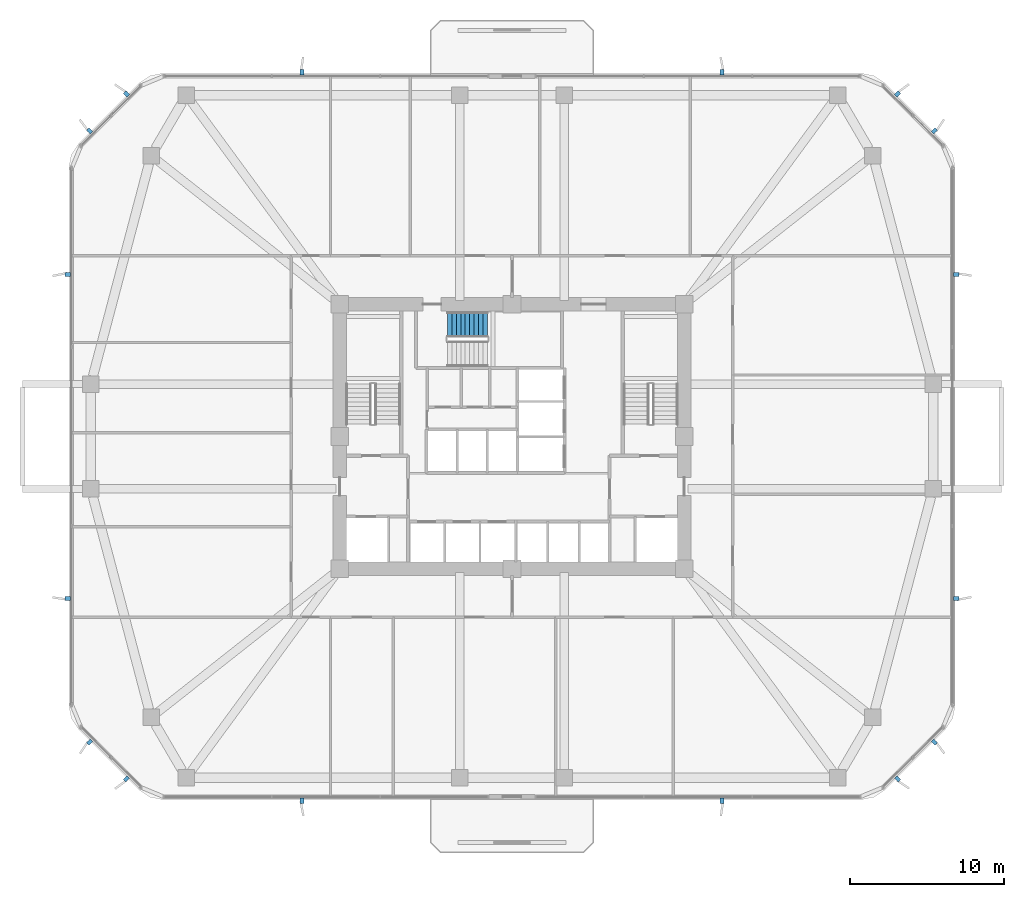
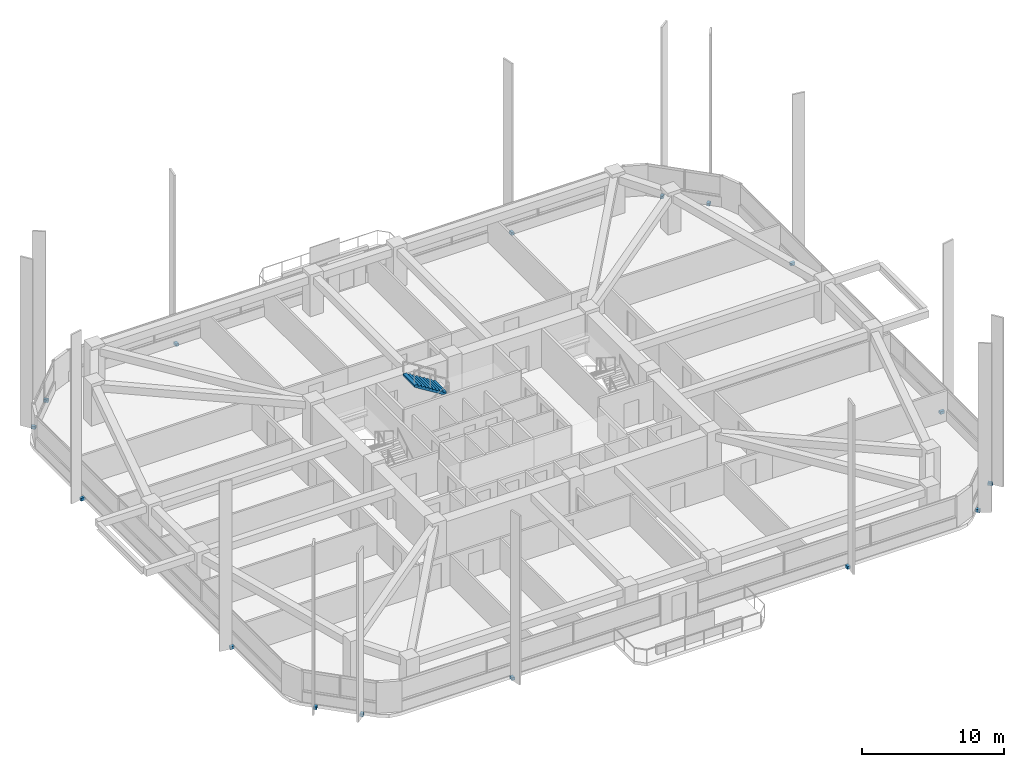
# One storey, part 12 of 17: 16 discrete accessories, 1 stair flight, 1 element without a shape of its own.
"""IFC4 building model written with IfcOpenShell, lengths in metres."""

from ifc_helpers import new_model, si_unit, derived_unit, direction, frame, origin, origin_2d, place, context, subcontext, project, spatial, polyline, rectangle, outline, extrude, material, type_object, element, aggregate, save


model = new_model("IFC4")

# Units and contexts
model_context = context("Model", 3, precision=1e-05, world=origin(), true_north=direction((0.0, 1.0)))
body_context = subcontext(model_context, "Body", "Model", "MODEL_VIEW")
ifc_project = project(units=[si_unit("LENGTHUNIT", "METRE"), si_unit("AREAUNIT", "SQUARE_METRE"), si_unit("VOLUMEUNIT", "CUBIC_METRE"), si_unit("PLANEANGLEUNIT", "RADIAN"), si_unit("MASSUNIT", "GRAM", prefix="KILO"), derived_unit("THERMALTRANSMITTANCEUNIT", [(si_unit("POWERUNIT", "WATT"), 1), (si_unit("LENGTHUNIT", "METRE"), -2), (si_unit("THERMODYNAMICTEMPERATUREUNIT", "KELVIN"), -1)])], contexts=[model_context])

# Site, building, storey
site_placement = place(None, origin())
site = spatial("IfcSite", under=ifc_project, at=site_placement, CompositionType="ELEMENT")
building_placement = place(site_placement, origin())
building = spatial("IfcBuilding", under=site, at=building_placement, Name="Koralith Skygarden Medical Center", CompositionType="ELEMENT")
storey_placement = place(building_placement, frame((0.0, 0.0, 52.739990234375)))
storey = spatial("IfcBuildingStorey", under=building, at=storey_placement, Name="L13", CompositionType="ELEMENT", Elevation=52.739990234375)

# Stair, stair flight
ifc_material_1 = material(Name="Concrete C45/55", Category="concrete")
stair_type = type_object("IfcStairType", Name="Core Exit Dogleg Concrete Stair", PredefinedType="HALF_TURN_STAIR", material=ifc_material_1)
stair_placement = place(storey_placement, origin())
stair = element("IfcStair", 1, at=stair_placement, inside=storey, type_object=stair_type, Name="L13 Smokeproof Exit Stair ST3", PredefinedType="HALF_TURN_STAIR")
stair_flight_type = type_object("IfcStairFlightType", Name="Core Exit Concrete Stair Flight 1650", PredefinedType="STRAIGHT", material=ifc_material_1)
stair_flight_placement = place(storey_placement, frame((35.409912109375, 33.175048828125, 1.800048828125), z_axis=(0.0, 0.0, 1.0), x_axis=(-1.0, 0.0, 0.0)))
stair_flight = element("IfcStairFlight", 2, at=stair_flight_placement, type_object=stair_flight_type, Name="ST3 flight 2", NumberOfRisers=10, NumberOfTreads=9, PredefinedType="STRAIGHT", RiserHeight=0.18, TreadLength=0.29, context=body_context, shape_type="SweptSolid", body=[
    extrude(outline(polyline([(0.0, 0.0), (0.0, 0.179931640625), (0.2900390625, 0.179931640625), (0.2900390625, 0.360107421875), (0.580078125, 0.360107421875), (0.580078125, 0.5400390625), (0.8701171875, 0.5400390625), (0.8701171875, 0.719970703125), (1.159912109375, 0.719970703125), (1.159912109375, 0.89990234375), (1.449951171875, 0.89990234375), (1.449951171875, 1.080078125), (1.739990234375, 1.080078125), (1.739990234375, 1.260009765625), (2.030029296875, 1.260009765625), (2.030029296875, 1.43994140625), (2.320068359375, 1.43994140625), (2.320068359375, 1.6201171875), (2.610107421875, 1.6201171875), (2.610107421875, 1.800048828125), (2.610107421875, 1.443603515625), (0.2841796875, 0.0), (0.0, 0.0)])), frame((0.0, 0.824951171875, 0.0), z_axis=(0.0, -1.0, 0.0), x_axis=(1.0, 0.0, 0.0)), (0.0, 0.0, 1.0), 1.64990234375),
])
aggregate(stair, [stair_flight])

# Discrete accessories
ifc_material_2 = material(Name="Steel ASTM A572 Grade 50", Category="steel")
discrete_accessory_type = type_object("IfcDiscreteAccessoryType", Name="Facade Fin Structural Anchor Bracket", PredefinedType="BRACKET", material=ifc_material_2)
for number, where, z_axis, x_axis, name in (
    (3, (23.35009765625, 2.219970703125, -0.259765625), (0.0, 0.0, 1.0), (0.0, -1.0, 0.0), "L13 S Solar Fin Anchor Bracket 1"),
    (4, (50.64990234375, 2.219970703125, -0.259765625), (0.0, 0.0, 1.0), (0.0, -1.0, 0.0), "L13 S Solar Fin Anchor Bracket 2"),
    (5, (62.05810546875, 3.64404296875, -0.259765625), (0.0, 0.0, 1.0), (0.707106781187, -0.707106781187, 0.0), "L13 SE Solar Fin Anchor Bracket 1"),
    (6, (64.4560546875, 6.0419921875, -0.259765625), (0.0, 0.0, 1.0), (0.707106781187, -0.707106781187, 0.0), "L13 SE Solar Fin Anchor Bracket 2"),
    (7, (65.8798828125, 15.3701171875, -0.259765625), (0.0, 0.0, 1.0), (1.0, 0.0, 0.0), "L13 E Solar Fin Anchor Bracket 1"),
    (8, (65.8798828125, 36.429931640625, -0.259765625), (0.0, 0.0, 1.0), (1.0, 0.0, 0.0), "L13 E Solar Fin Anchor Bracket 2"),
    (9, (64.4560546875, 45.758056640625, -0.259765625), (0.0, 0.0, 1.0), (0.707106781187, 0.707106781187, 0.0), "L13 NE Solar Fin Anchor Bracket 1"),
    (10, (62.05810546875, 48.156005859375, -0.259765625), (0.0, 0.0, 1.0), (0.707106781187, 0.707106781187, 0.0), "L13 NE Solar Fin Anchor Bracket 2"),
    (11, (50.64990234375, 49.580078125, -0.259765625), (0.0, 0.0, 1.0), (0.0, 1.0, 0.0), "L13 N Solar Fin Anchor Bracket 1"),
    (12, (23.35009765625, 49.580078125, -0.259765625), (0.0, 0.0, 1.0), (0.0, 1.0, 0.0), "L13 N Solar Fin Anchor Bracket 2"),
    (13, (11.94189453125, 48.156005859375, -0.259765625), (0.0, 0.0, 1.0), (-0.707106781187, 0.707106781187, 0.0), "L13 NW Solar Fin Anchor Bracket 1"),
    (14, (9.5439453125, 45.758056640625, -0.259765625), (0.0, 0.0, 1.0), (-0.707106781187, 0.707106781187, 0.0), "L13 NW Solar Fin Anchor Bracket 2"),
    (15, (8.1201171875, 36.429931640625, -0.259765625), (0.0, 0.0, 1.0), (-1.0, 0.0, 0.0), "L13 W Solar Fin Anchor Bracket 1"),
    (16, (8.1201171875, 15.3701171875, -0.259765625), (0.0, 0.0, 1.0), (-1.0, 0.0, 0.0), "L13 W Solar Fin Anchor Bracket 2"),
    (17, (9.5439453125, 6.0419921875, -0.259765625), (0.0, 0.0, 1.0), (-0.707106781187, -0.707106781187, 0.0), "L13 SW Solar Fin Anchor Bracket 1"),
    (18, (11.94189453125, 3.64404296875, -0.259765625), (0.0, 0.0, 1.0), (-0.707106781187, -0.707106781187, 0.0), "L13 SW Solar Fin Anchor Bracket 2"),
):
    element("IfcDiscreteAccessory", number, at=place(storey_placement, frame(where, z_axis=z_axis, x_axis=x_axis)), inside=storey, type_object=discrete_accessory_type, Name=name, PredefinedType="BRACKET", context=body_context, shape_type="SweptSolid", body=[
        extrude(rectangle(XDim=0.340087890625, YDim=0.239990234375, at=origin_2d()), origin(), (0.0, 0.0, 1.0), 0.239990234375),
    ])

save(model, "model.ifc")
